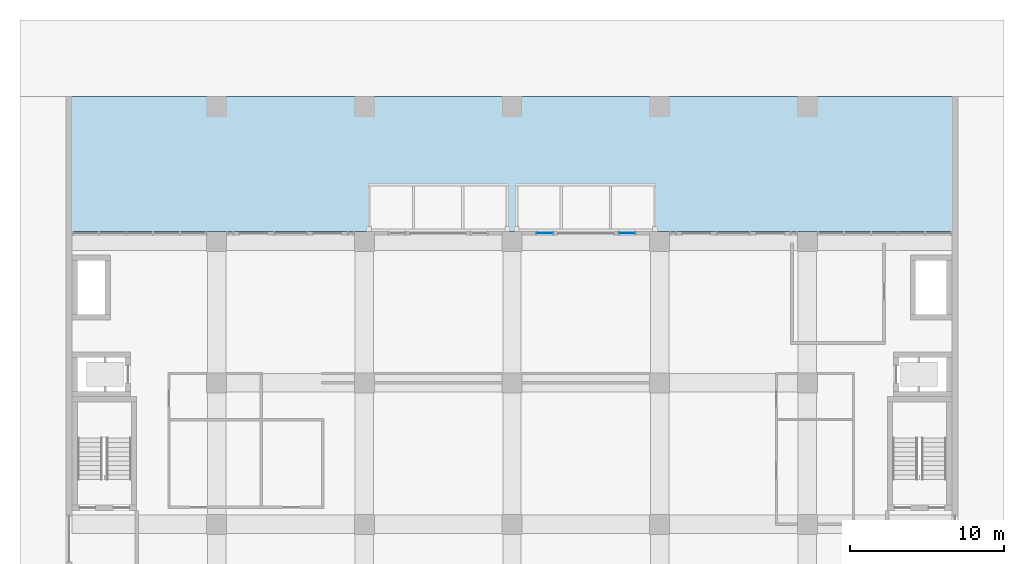
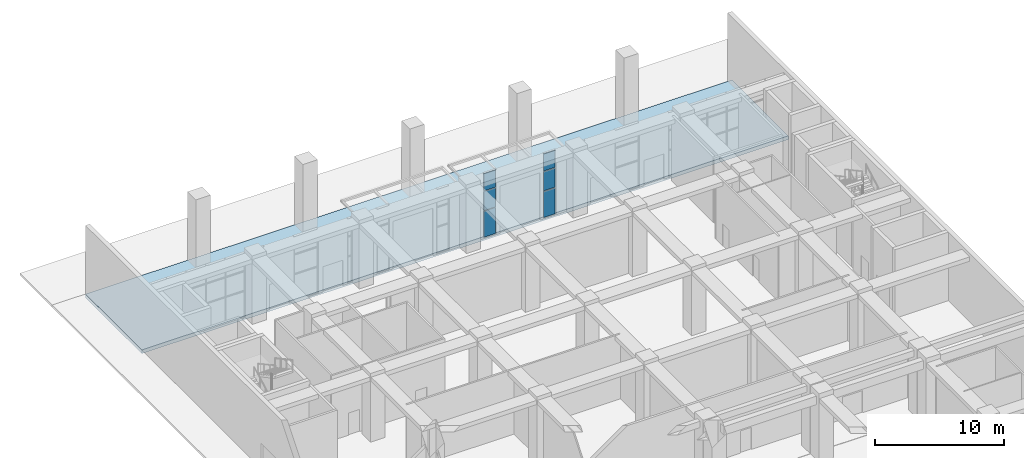
# One storey, part 14 of 45: 6 plates, 1 slab, 2 elements without a shape of their own.
"""IFC4 building model written with IfcOpenShell, lengths in metres."""

from ifc_helpers import new_model, si_unit, direction, frame, origin, origin_2d, place, context, subcontext, project, spatial, polyline, rectangle, outline, extrude, material, layer, layer_set, type_object, element, aggregate, save


model = new_model("IFC4")

# Units and contexts
model_context = context("Model", 3, precision=1e-05, world=origin(), true_north=direction((0.0, 1.0)))
body_context = subcontext(model_context, "Body", "Model", "MODEL_VIEW")
ifc_project = project(units=[si_unit("LENGTHUNIT", "METRE"), si_unit("AREAUNIT", "SQUARE_METRE"), si_unit("VOLUMEUNIT", "CUBIC_METRE"), si_unit("PLANEANGLEUNIT", "RADIAN"), si_unit("MASSUNIT", "GRAM", prefix="KILO")], contexts=[model_context])

# Site, building, storey
site_placement = place(None, origin())
site = spatial("IfcSite", under=ifc_project, at=site_placement, CompositionType="ELEMENT")
building_placement = place(site_placement, origin())
building = spatial("IfcBuilding", under=site, at=building_placement, Name="Nzadi Deep Aquarium and Research Tower", CompositionType="ELEMENT")
storey_placement = place(building_placement, origin())
storey = spatial("IfcBuildingStorey", under=building, at=storey_placement, Name="G", CompositionType="ELEMENT", Elevation=0.0)

# Curtain wall, plates
ifc_material_1 = material(Name="Aluminium stick frame", Category="aluminium")
ifc_layer_1 = layer(ifc_material_1, 0.25)
ifc_layer_set_1 = layer_set([ifc_layer_1], Name="Aluminium stick frame")
curtain_wall_type = type_object("IfcCurtainWallType", Name="Curtain wall Stick 250", PredefinedType="NOTDEFINED", material=ifc_layer_set_1)
curtain_wall_1_placement = place(storey_placement, origin())
curtain_wall_1 = element("IfcCurtainWall", 1, at=curtain_wall_1_placement, inside=storey, type_object=curtain_wall_type, Name="Lobby stick glazing G", PredefinedType="NOTDEFINED")
ifc_material_2 = material(Name="Glass, deep ocean tint", Category="glass")
ifc_layer_2 = layer(ifc_material_2, 0.031982421875)
ifc_layer_set_2 = layer_set([ifc_layer_2], Name="Glass, deep ocean tint")
plate_type = type_object("IfcPlateType", Name="Glazing panel 32 Stick", PredefinedType="CURTAIN_PANEL", material=ifc_layer_set_2)
plate_1_placement = place(storey_placement, frame((30.925048828125, 132.125, 0.06005859375), z_axis=(0.0, 0.0, 1.0), x_axis=(1.0, 0.0, 0.0)))
plate_1 = element("IfcPlate", 2, at=plate_1_placement, type_object=plate_type, Name="CW237 panel 1.1", PredefinedType="CURTAIN_PANEL", context=body_context, shape_type="SweptSolid", body=[
    extrude(rectangle(XDim=1.030029296875, YDim=0.031982421875, at=origin_2d()), origin(), (0.0, 0.0, 1.0), 2.4599609375),
])
plate_2_placement = place(storey_placement, frame((30.925048828125, 132.125, 2.580078125), z_axis=(0.0, 0.0, 1.0), x_axis=(1.0, 0.0, 0.0)))
plate_2 = element("IfcPlate", 3, at=plate_2_placement, type_object=plate_type, Name="CW237 panel 1.2", PredefinedType="CURTAIN_PANEL", context=body_context, shape_type="SweptSolid", body=[
    extrude(rectangle(XDim=1.030029296875, YDim=0.031982421875, at=origin_2d()), origin(), (0.0, 0.0, 1.0), 1.818115234375),
])
plate_3_placement = place(storey_placement, frame((30.925048828125, 132.125, 4.4580078125), z_axis=(0.0, 0.0, 1.0), x_axis=(1.0, 0.0, 0.0)))
plate_3 = element("IfcPlate", 4, at=plate_3_placement, type_object=plate_type, Name="CW237 panel 1.3", PredefinedType="CURTAIN_PANEL", context=body_context, shape_type="SweptSolid", body=[
    extrude(rectangle(XDim=1.030029296875, YDim=0.031982421875, at=origin_2d()), origin(), (0.0, 0.0, 1.0), 1.632080078125),
])
aggregate(curtain_wall_1, [plate_1, plate_2, plate_3])

curtain_wall_2_placement = place(storey_placement, origin())
curtain_wall_2 = element("IfcCurtainWall", 5, at=curtain_wall_2_placement, inside=storey, type_object=curtain_wall_type, Name="Lobby stick glazing G", PredefinedType="NOTDEFINED")
plate_4_placement = place(storey_placement, frame((36.27490234375, 132.125, 0.06005859375), z_axis=(0.0, 0.0, 1.0), x_axis=(1.0, 0.0, 0.0)))
plate_4 = element("IfcPlate", 6, at=plate_4_placement, type_object=plate_type, Name="CW238 panel 1.1", PredefinedType="CURTAIN_PANEL", context=body_context, shape_type="SweptSolid", body=[
    extrude(rectangle(XDim=1.030029296875, YDim=0.031982421875, at=origin_2d()), origin(), (0.0, 0.0, 1.0), 2.4599609375),
])
plate_5_placement = place(storey_placement, frame((36.27490234375, 132.125, 2.580078125), z_axis=(0.0, 0.0, 1.0), x_axis=(1.0, 0.0, 0.0)))
plate_5 = element("IfcPlate", 7, at=plate_5_placement, type_object=plate_type, Name="CW238 panel 1.2", PredefinedType="CURTAIN_PANEL", context=body_context, shape_type="SweptSolid", body=[
    extrude(rectangle(XDim=1.030029296875, YDim=0.031982421875, at=origin_2d()), origin(), (0.0, 0.0, 1.0), 1.818115234375),
])
plate_6_placement = place(storey_placement, frame((36.27490234375, 132.125, 4.4580078125), z_axis=(0.0, 0.0, 1.0), x_axis=(1.0, 0.0, 0.0)))
plate_6 = element("IfcPlate", 8, at=plate_6_placement, type_object=plate_type, Name="CW238 panel 1.3", PredefinedType="CURTAIN_PANEL", context=body_context, shape_type="SweptSolid", body=[
    extrude(rectangle(XDim=1.030029296875, YDim=0.031982421875, at=origin_2d()), origin(), (0.0, 0.0, 1.0), 1.632080078125),
])
aggregate(curtain_wall_2, [plate_4, plate_5, plate_6])

# Slab
ifc_material_3 = material(Name="Concrete C35/45", Category="concrete")
ifc_layer_3 = layer(ifc_material_3, 0.35009765625)
ifc_layer_set_3 = layer_set([ifc_layer_3], Name="Concrete C35/45")
slab_type = type_object("IfcSlabType", Name="RC floor slab 350", PredefinedType="FLOOR", material=ifc_layer_set_3)
slab_placement = place(storey_placement, frame((0.0, 0.0, -0.35009765625)))
element("IfcSlab", 9, at=slab_placement, inside=storey, type_object=slab_type, Name="Portico paving slab", PredefinedType="FLOOR", context=body_context, shape_type="SweptSolid", body=[
    extrude(outline(polyline([(57.799560546875, 132.25), (57.799560546875, 141.0), (-0.199462890625, 141.0), (-0.199462890625, 132.25), (57.799560546875, 132.25)])), origin(), (0.0, 0.0, 1.0), 0.35009765625),
])

save(model, "model.ifc")
